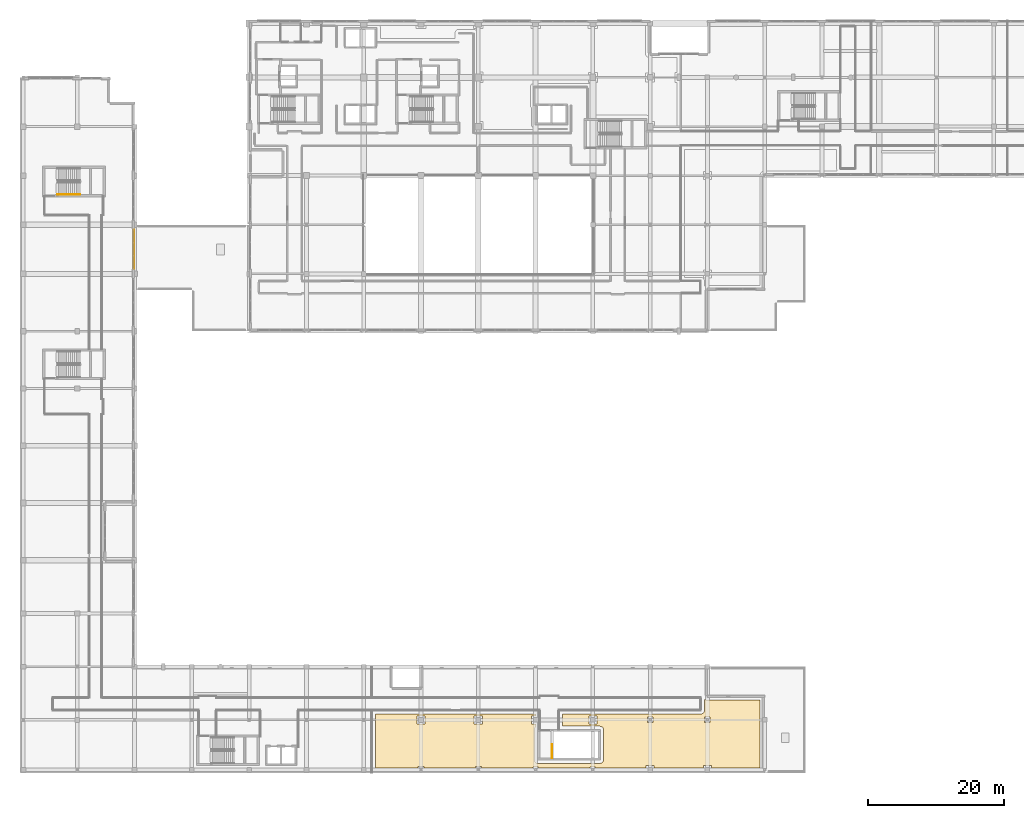
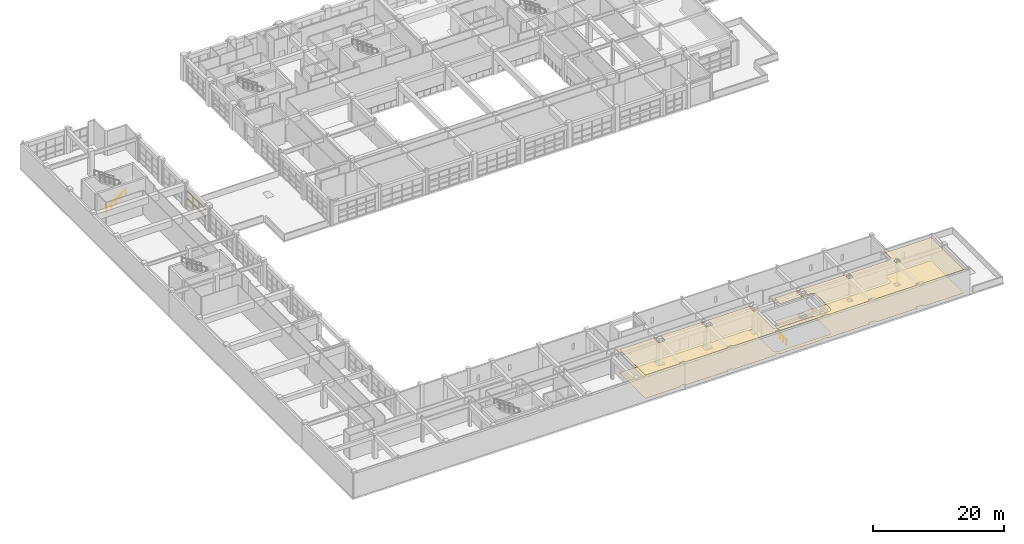
# One storey, part 115 of 123: 2 coverings, 2 railings, 2 shading devices.
"""IFC4 building model written with IfcOpenShell, lengths in metres."""

import ifcopenshell
import ifcopenshell.guid

model = None  # the IFC model being written
_history = None  # IfcOwnerHistory: only IFC2X3 demands one
_inside = {}  # id of a spatial element -> (the spatial element, [elements in it])
_under = {}  # id of a project, library or spatial element -> (it, [spatial elements below it])
_declared = {}  # id of a project -> (the project, [libraries it declares])
_typed = {}  # id of a type object -> (the type object, [elements of that type])
_made_of = {}  # id of a material, layer set ... -> (it, [elements and type objects made of it])


def new_model(schema):
    """Start an empty IFC model of exactly this schema.

    Asked for "IFC4X3", IfcOpenShell would pick the latest addendum, in which some entities
    have other attributes; the version numbers below select the first issue.
    IFC2X3 requires an IfcOwnerHistory on every rooted entity: one is made here for all.
    """
    global model, _history
    if schema == "IFC4X3":
        model = ifcopenshell.file(schema_version=(4, 3, 0, 0))
    else:
        model = ifcopenshell.file(schema=schema)
    _inside.clear()
    _under.clear()
    _declared.clear()
    _typed.clear()
    _made_of.clear()
    _history = None
    if model.schema == "IFC2X3":
        org = make("IfcOrganization", Name="unknown")
        user = make(
            "IfcPersonAndOrganization",
            ThePerson=make("IfcPerson", FamilyName="unknown"),
            TheOrganization=org,
        )
        app = make(
            "IfcApplication",
            ApplicationDeveloper=org,
            Version="unknown",
            ApplicationFullName="unknown",
            ApplicationIdentifier="unknown",
        )
        _history = make(
            "IfcOwnerHistory",
            OwningUser=user,
            OwningApplication=app,
            ChangeAction="ADDED",
            CreationDate=0,
        )
    return model


def make(cls, **values):
    """One entity of the class cls with the attributes given. An attribute that is None is left unset."""
    return model.create_entity(
        cls, **{name: value for name, value in values.items() if value is not None}
    )


def rooted(cls, **values):
    """An entity with a GlobalId (a new one), such as an element, a storey or a relation."""
    return make(cls, GlobalId=ifcopenshell.guid.new(), OwnerHistory=_history, **values)


def si_unit(unit_type, name, prefix=None):
    """IfcSIUnit, for example si_unit("LENGTHUNIT", "METRE", prefix="MILLI")."""
    return make("IfcSIUnit", UnitType=unit_type, Prefix=prefix, Name=name)


def assignment(units):
    """IfcUnitAssignment: the units of a project."""
    return None if units is None else make("IfcUnitAssignment", Units=units)


def point(xyz):
    """IfcCartesianPoint."""
    return None if xyz is None else make("IfcCartesianPoint", Coordinates=xyz)


def direction(xyz):
    """IfcDirection."""
    return None if xyz is None else make("IfcDirection", DirectionRatios=xyz)


def frame(location, z_axis=None, x_axis=None):
    """IfcAxis2Placement3D, a coordinate frame: its origin and axes. An axis left out is left unset."""
    return make(
        "IfcAxis2Placement3D",
        Location=point(location),
        Axis=direction(z_axis),
        RefDirection=direction(x_axis),
    )


def frame_2d(location, x_axis=None):
    """IfcAxis2Placement2D, a coordinate frame in the plane: its origin and x axis."""
    return make(
        "IfcAxis2Placement2D", Location=point(location), RefDirection=direction(x_axis)
    )


def origin():
    """The frame at (0, 0, 0) with its axes left unset."""
    return frame((0.0, 0.0, 0.0))


def origin_2d():
    """The frame at (0, 0) in the plane with its x axis left unset."""
    return frame_2d((0.0, 0.0))


def place(relative_to, where):
    """IfcLocalPlacement: puts the frame where relative to a parent placement (None: the world)."""
    return make(
        "IfcLocalPlacement", PlacementRelTo=relative_to, RelativePlacement=where
    )


def context(
    kind, dimensions, precision=None, world=None, true_north=None, identifier=None
):
    """IfcGeometricRepresentationContext, for example the 3D "Model" context."""
    return make(
        "IfcGeometricRepresentationContext",
        ContextIdentifier=identifier,
        ContextType=kind,
        CoordinateSpaceDimension=dimensions,
        Precision=precision,
        WorldCoordinateSystem=world,
        TrueNorth=true_north,
    )


def subcontext(parent, identifier, kind, view, scale=None):
    """IfcGeometricRepresentationSubContext, for example "Body" below "Model"."""
    return make(
        "IfcGeometricRepresentationSubContext",
        ContextIdentifier=identifier,
        ContextType=kind,
        ParentContext=parent,
        TargetScale=scale,
        TargetView=view,
    )


def project(units=None, contexts=None):
    """IfcProject with its units and contexts."""
    return rooted(
        "IfcProject",
        Name="project",
        RepresentationContexts=contexts,
        UnitsInContext=assignment(units),
    )


def spatial(cls, under=None, at=None, **own):
    """A site, building, storey or space (cls), placed at a placement, below another one or the project."""
    s = rooted(cls, ObjectPlacement=at, **own)
    if under is not None:
        _under.setdefault(under.id(), (under, []))[1].append(s)
    return s


def polyline(points):
    """IfcPolyline through the points."""
    return make("IfcPolyline", Points=[point(p) for p in points])


def profile(cls, at=None, kind="AREA", **sizes):
    """A parametric profile (cls). Its sizes go by their IFC names, for example OverallWidth=200.0."""
    return make(cls, ProfileType=kind, Position=at, **sizes)


def hollow_rectangle(**sizes):
    """IfcRectangleHollowProfileDef."""
    return profile("IfcRectangleHollowProfileDef", **sizes)


def circle(**sizes):
    """IfcCircleProfileDef."""
    return profile("IfcCircleProfileDef", **sizes)


def outline(outer, holes=None, kind="AREA"):
    """IfcArbitraryClosedProfileDef: a profile drawn as a closed curve; with holes, ...WithVoids."""
    if holes is None:
        return make("IfcArbitraryClosedProfileDef", ProfileType=kind, OuterCurve=outer)
    return make(
        "IfcArbitraryProfileDefWithVoids",
        ProfileType=kind,
        OuterCurve=outer,
        InnerCurves=holes,
    )


def extrude(swept, where, along, depth):
    """IfcExtrudedAreaSolid: the profile swept, set in the frame where, extruded along a direction by depth."""
    return make(
        "IfcExtrudedAreaSolid",
        SweptArea=swept,
        Position=where,
        ExtrudedDirection=direction(along),
        Depth=depth,
    )


def shape(context_of_items, identifier, shape_type, items):
    """IfcShapeRepresentation: the items that make up one representation, for example the "Body"."""
    return make(
        "IfcShapeRepresentation",
        ContextOfItems=context_of_items,
        RepresentationIdentifier=identifier,
        RepresentationType=shape_type,
        Items=items,
    )


def material(Name=None, Category=None):
    """IfcMaterial."""
    return make("IfcMaterial", Name=Name, Category=Category)


def layer(
    of_material, thickness, ventilated=None, Name=None, Category=None, Priority=None
):
    """IfcMaterialLayer: one layer of a wall or slab, of a material (None: an air gap)."""
    return make(
        "IfcMaterialLayer",
        Material=of_material,
        LayerThickness=thickness,
        IsVentilated=ventilated,
        Name=Name,
        Category=Category,
        Priority=Priority,
    )


def layer_set(layers, Name=None):
    """IfcMaterialLayerSet."""
    return make("IfcMaterialLayerSet", MaterialLayers=layers, LayerSetName=Name)


def material_profile(
    of_material, cross_section, Name=None, Category=None, Priority=None
):
    """IfcMaterialProfile: a cross section and its material."""
    return make(
        "IfcMaterialProfile",
        Name=Name,
        Material=of_material,
        Profile=cross_section,
        Priority=Priority,
        Category=Category,
    )


def profile_set(profiles, Name=None, composite=None):
    """IfcMaterialProfileSet."""
    return make(
        "IfcMaterialProfileSet",
        Name=Name,
        MaterialProfiles=profiles,
        CompositeProfile=composite,
    )


def made_of(thing, what):
    """Note that an element or type object is made of a material, layer set ...; save() writes the relation."""
    if what is not None:
        _made_of.setdefault(what.id(), (what, []))[1].append(thing)
    return thing


def type_object(cls, material=None, **own):
    """A type object (cls), such as IfcWallType, which elements share."""
    return made_of(rooted(cls, **own), material)


def element(
    cls,
    number,
    at=None,
    inside=None,
    cuts=None,
    type_object=None,
    material=None,
    context=None,
    identifier="Body",
    shape_type=None,
    held_by="IfcProductDefinitionShape",
    body=None,
    shapes=None,
    **own,
):
    """One element of the class cls, such as IfcWall. Its Tag is "e" and its number.

    at: its placement. inside: the storey or other place that contains it. cuts: it is an
    opening in that element (IfcRelVoidsElement). A single representation is given by context,
    identifier, shape_type and body (its items); several are given by shapes. held_by: the class
    of the entity that holds the representations. save() writes the other relations.
    """
    e = rooted(cls, Tag="e%d" % number, ObjectPlacement=at, **own)
    if body is not None:
        shapes = [shape(context, identifier, shape_type, body)]
    if shapes is not None:
        e.Representation = make(held_by, Representations=shapes)
    if inside is not None:
        _inside.setdefault(inside.id(), (inside, []))[1].append(e)
    if cuts is not None:
        rooted(
            "IfcRelVoidsElement", RelatingBuildingElement=cuts, RelatedOpeningElement=e
        )
    if type_object is not None:
        _typed.setdefault(type_object.id(), (type_object, []))[1].append(e)
    return made_of(e, material)


def aggregate(whole, parts):
    """IfcRelAggregates: a whole, such as a stair, and the parts it consists of."""
    return rooted("IfcRelAggregates", RelatingObject=whole, RelatedObjects=parts)


def save(model, path):
    """Write the relations noted so far, then the file.

    IfcRelAggregates (storeys below a building ...), IfcRelContainedInSpatialStructure (elements
    in a storey), IfcRelDefinesByType, IfcRelAssociatesMaterial and IfcRelDeclares: one each for
    every whole, place, type object, material and project.
    """
    for whole, parts in _under.values():
        aggregate(whole, parts)
    for where, things in _inside.values():
        rooted(
            "IfcRelContainedInSpatialStructure",
            RelatedElements=things,
            RelatingStructure=where,
        )
    for kind, things in _typed.values():
        rooted("IfcRelDefinesByType", RelatedObjects=things, RelatingType=kind)
    for what, things in _made_of.values():
        rooted("IfcRelAssociatesMaterial", RelatedObjects=things, RelatingMaterial=what)
    for by, libraries in _declared.values():
        rooted("IfcRelDeclares", RelatingContext=by, RelatedDefinitions=libraries)
    model.write(path)


model = new_model("IFC4")

# Units and contexts
model_context = context("Model", 3, precision=1e-05, world=origin(), true_north=direction((0.0, 1.0)))
body_context = subcontext(model_context, "Body", "Model", "MODEL_VIEW")
ifc_project = project(units=[si_unit("LENGTHUNIT", "METRE"), si_unit("AREAUNIT", "SQUARE_METRE"), si_unit("VOLUMEUNIT", "CUBIC_METRE"), si_unit("PLANEANGLEUNIT", "RADIAN"), si_unit("MASSUNIT", "GRAM", prefix="KILO")], contexts=[model_context])

# Site, building, storey
site_placement = place(None, origin())
site = spatial("IfcSite", under=ifc_project, at=site_placement, CompositionType="ELEMENT")
building_placement = place(site_placement, origin())
building = spatial("IfcBuilding", under=site, at=building_placement, Name="Quendrovan Civic Courthouse", CompositionType="ELEMENT")
storey_placement = place(building_placement, frame((0.0, 0.0, 5.39990234375)))
storey = spatial("IfcBuildingStorey", under=building, at=storey_placement, Name="L02", CompositionType="ELEMENT", Elevation=5.39990234375)

# Coverings
ifc_material_1 = material(Name="Perforated Western Red Cedar and mineral acoustic ceiling")
ifc_layer_1 = layer(ifc_material_1, 0.034912109375, Name="Perforated Western Red Cedar and mineral acoustic ceiling")
ifc_layer_set_1 = layer_set([ifc_layer_1], Name="Perforated Western Red Cedar and mineral acoustic ceiling")
covering_type_1 = type_object("IfcCoveringType", Name="COV-CEIL-ACOUSTIC", PredefinedType="CEILING", material=ifc_layer_set_1)
covering_1_placement = place(storey_placement, frame((0.0, 0.0, 4.34521484375)))
element("IfcCovering", 1, at=covering_1_placement, inside=storey, type_object=covering_type_1, Name="L02 Law Library Reading Room Acoustic Ceiling", PredefinedType="CEILING", context=body_context, shape_type="SweptSolid", body=[
    extrude(outline(polyline([(75.64990234375, 7.22509765625), (75.64990234375, 6.75927734375), (75.631103515625, 6.7451171875), (75.591064453125, 6.708984375), (75.5546875, 6.6689453125), (75.522705078125, 6.62548828125), (75.494873046875, 6.579345703125), (75.471923828125, 6.530517578125), (75.45361328125, 6.479736328125), (75.440673828125, 6.42724609375), (75.4326171875, 6.373779296875), (75.429931640625, 6.320068359375), (75.429931640625, 1.97998046875), (75.4326171875, 1.926025390625), (75.440673828125, 1.872802734375), (75.45361328125, 1.8203125), (75.471923828125, 1.76953125), (75.494873046875, 1.720703125), (75.522705078125, 1.67431640625), (75.5546875, 1.631103515625), (75.591064453125, 1.591064453125), (75.631103515625, 1.5546875), (75.67431640625, 1.522705078125), (75.720703125, 1.494873046875), (75.76953125, 1.471923828125), (75.8203125, 1.45361328125), (75.872802734375, 1.440673828125), (75.926025390625, 1.4326171875), (75.97998046875, 1.429931640625), (85.02001953125, 1.429931640625), (85.073974609375, 1.4326171875), (85.127197265625, 1.440673828125), (85.1796875, 1.45361328125), (85.23046875, 1.471923828125), (85.279296875, 1.494873046875), (85.32568359375, 1.522705078125), (85.368896484375, 1.5546875), (85.408935546875, 1.591064453125), (85.4453125, 1.631103515625), (85.477294921875, 1.67431640625), (85.505126953125, 1.720703125), (85.528076171875, 1.76953125), (85.54638671875, 1.8203125), (85.559326171875, 1.872802734375), (85.5673828125, 1.926025390625), (85.570068359375, 1.97998046875), (85.570068359375, 6.320068359375), (85.5673828125, 6.373779296875), (85.559326171875, 6.42724609375), (85.54638671875, 6.479736328125), (85.528076171875, 6.530517578125), (85.505126953125, 6.579345703125), (85.477294921875, 6.62548828125), (85.4453125, 6.6689453125), (85.408935546875, 6.708984375), (85.368896484375, 6.7451171875), (85.32568359375, 6.77734375), (85.279296875, 6.80517578125), (85.23046875, 6.828125), (85.1796875, 6.84619140625), (85.127197265625, 6.859375), (85.073974609375, 6.867431640625), (85.02001953125, 6.8701171875), (79.550048828125, 6.8701171875), (79.550048828125, 8.64990234375), (99.800048828125, 8.64990234375), (99.85400390625, 8.652587890625), (99.9072265625, 8.66064453125), (99.959716796875, 8.673583984375), (100.010498046875, 8.69189453125), (100.059326171875, 8.71484375), (100.105712890625, 8.74267578125), (100.14892578125, 8.77490234375), (100.18896484375, 8.81103515625), (100.22509765625, 8.85107421875), (100.25732421875, 8.894287109375), (100.28515625, 8.940673828125), (100.30810546875, 8.989501953125), (100.326416015625, 9.040283203125), (100.33935546875, 9.0927734375), (100.347412109375, 9.14599609375), (100.35009765625, 9.199951171875), (100.35009765625, 10.851806640625), (100.371826171875, 10.833740234375), (100.384521484375, 10.824462890625), (100.427978515625, 10.79541015625), (100.441650390625, 10.787353515625), (100.489990234375, 10.761474609375), (100.504150390625, 10.7548828125), (100.553466796875, 10.734375), (100.568115234375, 10.72900390625), (100.6201171875, 10.71337890625), (100.635498046875, 10.70947265625), (100.68798828125, 10.69921875), (100.70361328125, 10.69677734375), (100.75634765625, 10.69140625), (100.77197265625, 10.690673828125), (100.800048828125, 10.68994140625), (108.489990234375, 10.68994140625), (108.489990234375, 0.7099609375), (101.375, 0.7099609375), (101.375, 1.074951171875), (100.22509765625, 1.074951171875), (100.22509765625, 0.7099609375), (92.97509765625, 0.7099609375), (92.97509765625, 1.074951171875), (91.824951171875, 1.074951171875), (91.824951171875, 0.7099609375), (84.39990234375, 0.7099609375), (84.39990234375, 0.89990234375), (83.60009765625, 0.89990234375), (83.60009765625, 0.7099609375), (76.0, 0.7099609375), (76.0, 0.89990234375), (75.199951171875, 0.89990234375), (75.199951171875, 0.7099609375), (67.636962890625, 0.7099609375), (67.636962890625, 0.93603515625), (66.762939453125, 0.93603515625), (66.762939453125, 0.7099609375), (59.237060546875, 0.7099609375), (59.237060546875, 0.93603515625), (58.363037109375, 0.93603515625), (58.363037109375, 0.7099609375), (52.139892578125, 0.7099609375), (52.139892578125, 8.64990234375), (75.64990234375, 8.64990234375), (75.64990234375, 8.375), (75.02490234375, 8.375), (75.02490234375, 7.22509765625), (75.64990234375, 7.22509765625)]), holes=[polyline([(59.39990234375, 7.199951171875), (59.39990234375, 8.39990234375), (58.199951171875, 8.39990234375), (58.199951171875, 7.199951171875), (59.39990234375, 7.199951171875)]), polyline([(66.60009765625, 8.39990234375), (66.60009765625, 7.199951171875), (67.800048828125, 7.199951171875), (67.800048828125, 8.39990234375), (66.60009765625, 8.39990234375)]), polyline([(84.574951171875, 7.22509765625), (84.574951171875, 8.375), (83.425048828125, 8.375), (83.425048828125, 7.22509765625), (84.574951171875, 7.22509765625)]), polyline([(92.0, 7.39990234375), (92.800048828125, 7.39990234375), (92.800048828125, 8.199951171875), (92.0, 8.199951171875), (92.0, 7.39990234375)]), polyline([(101.199951171875, 8.199951171875), (100.39990234375, 8.199951171875), (100.39990234375, 7.39990234375), (101.199951171875, 7.39990234375), (101.199951171875, 8.199951171875)])]), origin(), (0.0, 0.0, 1.0), 0.034912109375),
])
ifc_material_2 = material(Name="Honed Dominican coralina limestone flooring", Category="masonry")
ifc_layer_2 = layer(ifc_material_2, 0.030029296875, Name="Honed Dominican coralina limestone flooring")
ifc_layer_set_2 = layer_set([ifc_layer_2], Name="Honed Dominican coralina limestone flooring")
covering_type_2 = type_object("IfcCoveringType", Name="COV-FLOR-STONE", PredefinedType="FLOORING", material=ifc_layer_set_2)
covering_2_placement = place(storey_placement, origin())
element("IfcCovering", 2, at=covering_2_placement, inside=storey, type_object=covering_type_2, Name="L02 Law Library Reading Room Finish Flooring", PredefinedType="FLOORING", context=body_context, shape_type="SweptSolid", body=[
    extrude(outline(polyline([(75.64990234375, 7.22509765625), (75.64990234375, 6.75927734375), (75.631103515625, 6.7451171875), (75.591064453125, 6.708984375), (75.5546875, 6.6689453125), (75.522705078125, 6.62548828125), (75.494873046875, 6.579345703125), (75.471923828125, 6.530517578125), (75.45361328125, 6.479736328125), (75.440673828125, 6.42724609375), (75.4326171875, 6.373779296875), (75.429931640625, 6.320068359375), (75.429931640625, 1.97998046875), (75.4326171875, 1.926025390625), (75.440673828125, 1.872802734375), (75.45361328125, 1.8203125), (75.471923828125, 1.76953125), (75.494873046875, 1.720703125), (75.522705078125, 1.67431640625), (75.5546875, 1.631103515625), (75.591064453125, 1.591064453125), (75.631103515625, 1.5546875), (75.67431640625, 1.522705078125), (75.720703125, 1.494873046875), (75.76953125, 1.471923828125), (75.8203125, 1.45361328125), (75.872802734375, 1.440673828125), (75.926025390625, 1.4326171875), (75.97998046875, 1.429931640625), (85.02001953125, 1.429931640625), (85.073974609375, 1.4326171875), (85.127197265625, 1.440673828125), (85.1796875, 1.45361328125), (85.23046875, 1.471923828125), (85.279296875, 1.494873046875), (85.32568359375, 1.522705078125), (85.368896484375, 1.5546875), (85.408935546875, 1.591064453125), (85.4453125, 1.631103515625), (85.477294921875, 1.67431640625), (85.505126953125, 1.720703125), (85.528076171875, 1.76953125), (85.54638671875, 1.8203125), (85.559326171875, 1.872802734375), (85.5673828125, 1.926025390625), (85.570068359375, 1.97998046875), (85.570068359375, 6.320068359375), (85.5673828125, 6.373779296875), (85.559326171875, 6.42724609375), (85.54638671875, 6.479736328125), (85.528076171875, 6.530517578125), (85.505126953125, 6.579345703125), (85.477294921875, 6.62548828125), (85.4453125, 6.6689453125), (85.408935546875, 6.708984375), (85.368896484375, 6.7451171875), (85.32568359375, 6.77734375), (85.279296875, 6.80517578125), (85.23046875, 6.828125), (85.1796875, 6.84619140625), (85.127197265625, 6.859375), (85.073974609375, 6.867431640625), (85.02001953125, 6.8701171875), (79.550048828125, 6.8701171875), (79.550048828125, 8.64990234375), (99.800048828125, 8.64990234375), (99.85400390625, 8.652587890625), (99.9072265625, 8.66064453125), (99.959716796875, 8.673583984375), (100.010498046875, 8.69189453125), (100.059326171875, 8.71484375), (100.105712890625, 8.74267578125), (100.14892578125, 8.77490234375), (100.18896484375, 8.81103515625), (100.22509765625, 8.85107421875), (100.25732421875, 8.894287109375), (100.28515625, 8.940673828125), (100.30810546875, 8.989501953125), (100.326416015625, 9.040283203125), (100.33935546875, 9.0927734375), (100.347412109375, 9.14599609375), (100.35009765625, 9.199951171875), (100.35009765625, 10.851806640625), (100.371826171875, 10.833740234375), (100.384521484375, 10.824462890625), (100.427978515625, 10.79541015625), (100.441650390625, 10.787353515625), (100.489990234375, 10.761474609375), (100.504150390625, 10.7548828125), (100.553466796875, 10.734375), (100.568115234375, 10.72900390625), (100.6201171875, 10.71337890625), (100.635498046875, 10.70947265625), (100.68798828125, 10.69921875), (100.70361328125, 10.69677734375), (100.75634765625, 10.69140625), (100.77197265625, 10.690673828125), (100.800048828125, 10.68994140625), (108.489990234375, 10.68994140625), (108.489990234375, 0.7099609375), (101.375, 0.7099609375), (101.375, 1.074951171875), (100.22509765625, 1.074951171875), (100.22509765625, 0.7099609375), (92.97509765625, 0.7099609375), (92.97509765625, 1.074951171875), (91.824951171875, 1.074951171875), (91.824951171875, 0.7099609375), (84.39990234375, 0.7099609375), (84.39990234375, 0.89990234375), (83.60009765625, 0.89990234375), (83.60009765625, 0.7099609375), (76.0, 0.7099609375), (76.0, 0.89990234375), (75.199951171875, 0.89990234375), (75.199951171875, 0.7099609375), (67.636962890625, 0.7099609375), (67.636962890625, 0.93603515625), (66.762939453125, 0.93603515625), (66.762939453125, 0.7099609375), (59.237060546875, 0.7099609375), (59.237060546875, 0.93603515625), (58.363037109375, 0.93603515625), (58.363037109375, 0.7099609375), (52.139892578125, 0.7099609375), (52.139892578125, 8.64990234375), (75.64990234375, 8.64990234375), (75.64990234375, 8.375), (75.02490234375, 8.375), (75.02490234375, 7.22509765625), (75.64990234375, 7.22509765625)]), holes=[polyline([(59.39990234375, 7.199951171875), (59.39990234375, 8.39990234375), (58.199951171875, 8.39990234375), (58.199951171875, 7.199951171875), (59.39990234375, 7.199951171875)]), polyline([(66.60009765625, 8.39990234375), (66.60009765625, 7.199951171875), (67.800048828125, 7.199951171875), (67.800048828125, 8.39990234375), (66.60009765625, 8.39990234375)]), polyline([(84.574951171875, 7.22509765625), (84.574951171875, 8.375), (83.425048828125, 8.375), (83.425048828125, 7.22509765625), (84.574951171875, 7.22509765625)]), polyline([(92.0, 7.39990234375), (92.800048828125, 7.39990234375), (92.800048828125, 8.199951171875), (92.0, 8.199951171875), (92.0, 7.39990234375)]), polyline([(101.199951171875, 8.199951171875), (100.39990234375, 8.199951171875), (100.39990234375, 7.39990234375), (101.199951171875, 7.39990234375), (101.199951171875, 8.199951171875)])]), origin(), (0.0, 0.0, 1.0), 0.030029296875),
])

# Railings
ifc_material_3 = material(Name="Painted galvanized steel", Category="steel")
railing_type_1 = type_object("IfcRailingType", Name="RL-STR-GUARD1100", PredefinedType="GUARDRAIL", material=ifc_material_3)
railing_1_placement = place(storey_placement, frame((78.0, 2.199951171875, 0.0)))
element("IfcRailing", 3, at=railing_1_placement, inside=storey, type_object=railing_type_1, Name="L02 ST7 top well guard 1", PredefinedType="GUARDRAIL", context=body_context, shape_type="SweptSolid", body=[
    extrude(circle(Radius=0.02392578125, at=origin_2d()), frame((0.0, 0.0, 1.076171875), z_axis=(0.0, 1.0, 0.0), x_axis=(-1.0, 0.0, 0.0)), (0.0, 0.0, 1.0), 2.030029296875),
    extrude(circle(Radius=0.02099609375, at=origin_2d()), origin(), (0.0, 0.0, 1.0), 1.052001953125),
    extrude(circle(Radius=0.02099609375, at=origin_2d()), frame((0.0, 1.01513671875, 0.0)), (0.0, 0.0, 1.0), 1.052001953125),
    extrude(circle(Radius=0.02099609375, at=origin_2d()), frame((0.0, 2.030029296875, 0.0)), (0.0, 0.0, 1.0), 1.052001953125),
])
ifc_material_4 = material(Name="Bronze anodised aluminium", Category="aluminium")
railing_type_2 = type_object("IfcRailingType", Name="RL-STR-HAND900", PredefinedType="HANDRAIL", material=ifc_material_4)
railing_2_placement = place(storey_placement, frame((5.449951171875, 84.85009765625, 0.184814453125)))
element("IfcRailing", 4, at=railing_2_placement, inside=storey, type_object=railing_type_2, Name="L02 ST8 stair handrail 1", PredefinedType="HANDRAIL", context=body_context, shape_type="SweptSolid", body=[
    extrude(circle(Radius=0.02392578125, at=origin_2d()), frame((0.0, 0.0, 0.8759765625), z_axis=(0.834876476806, 0.0, 0.550437342915), x_axis=(0.0, 1.0, 0.0)), (0.0, 0.0, 1.0), 4.024658203125),
    extrude(circle(Radius=0.02099609375, at=origin_2d()), origin(), (0.0, 0.0, 1.0), 0.851806640625),
    extrude(circle(Radius=0.02099609375, at=origin_2d()), frame((0.840087890625, 0.0, 0.5537109375)), (0.0, 0.0, 1.0), 0.851806640625),
    extrude(circle(Radius=0.02099609375, at=origin_2d()), frame((1.68017578125, 0.0, 1.107666015625)), (0.0, 0.0, 1.0), 0.851806640625),
    extrude(circle(Radius=0.02099609375, at=origin_2d()), frame((2.52001953125, 0.0, 1.66162109375)), (0.0, 0.0, 1.0), 0.851806640625),
    extrude(circle(Radius=0.02099609375, at=origin_2d()), frame((3.360107421875, 0.0, 2.21533203125)), (0.0, 0.0, 1.0), 0.851806640625),
])

# Shading devices
ifc_material_profile = material_profile(ifc_material_4, hollow_rectangle(XDim=0.06494140625, YDim=0.320068359375, WallThickness=0.0048828125, at=origin_2d()), Name="AL-LOUVRE-65x320")
ifc_profile_set = profile_set([ifc_material_profile], Name="Bronze anodised aluminium")
shading_device_type = type_object("IfcShadingDeviceType", Name="SHD-STORM-LOUVRE", PredefinedType="JALOUSIE", material=ifc_profile_set)
for number, where, z_axis, x_axis, name in (
    (5, (16.715087890625, 79.675048828125, 1.9501953125), (0.0, -1.0, 0.0), (1.0, 0.0, 0.0), "L02 Bronze Hurricane Storm Louvre SLV-071"),
    (6, (16.715087890625, 79.675048828125, 3.35009765625), (0.0, -1.0, 0.0), (1.0, 0.0, 0.0), "L02 Bronze Hurricane Storm Louvre SLV-072"),
):
    element("IfcShadingDevice", number, at=place(storey_placement, frame(where, z_axis=z_axis, x_axis=x_axis)), inside=storey, type_object=shading_device_type, Name=name, PredefinedType="JALOUSIE", context=body_context, shape_type="SweptSolid", body=[
        extrude(hollow_rectangle(XDim=0.06494140625, YDim=0.320068359375, WallThickness=0.0048828125, at=origin_2d()), origin(), (0.0, 0.0, 1.0), 5.72509765625),
    ])

save(model, "model.ifc")
